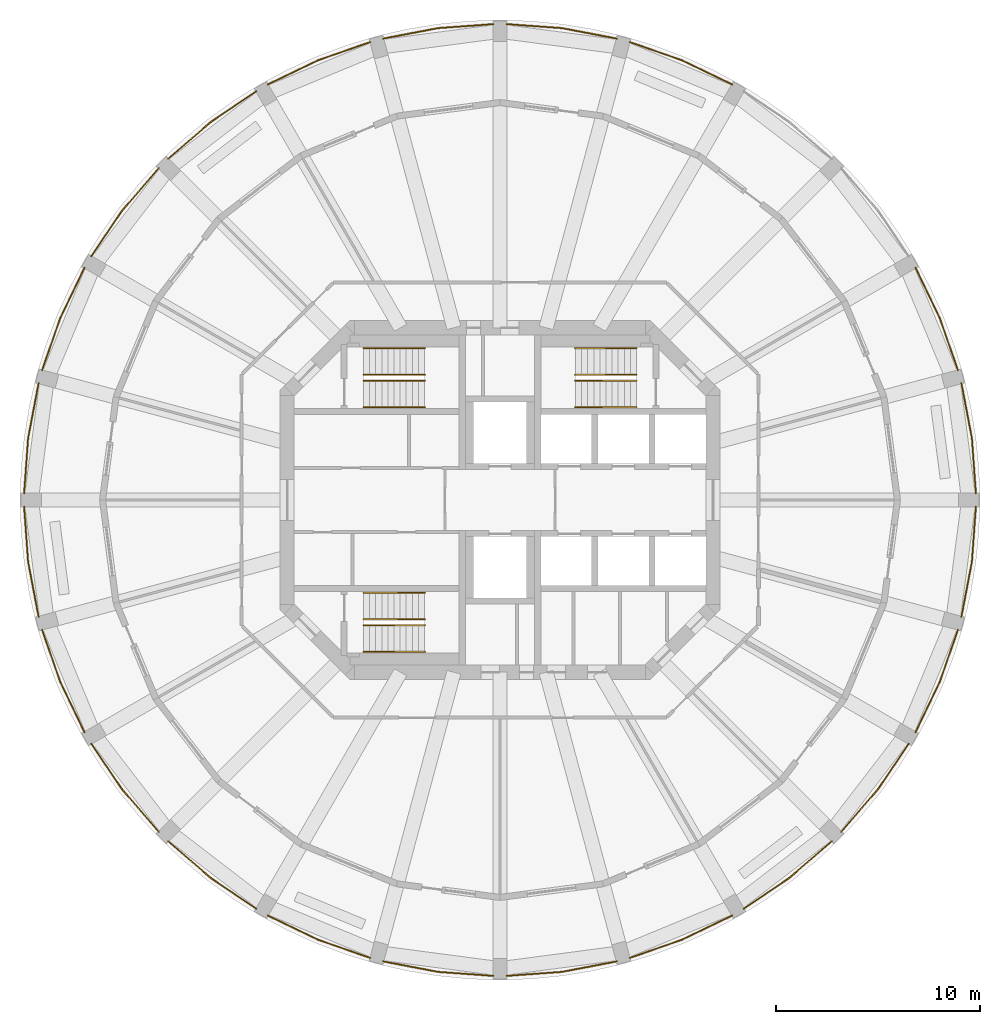
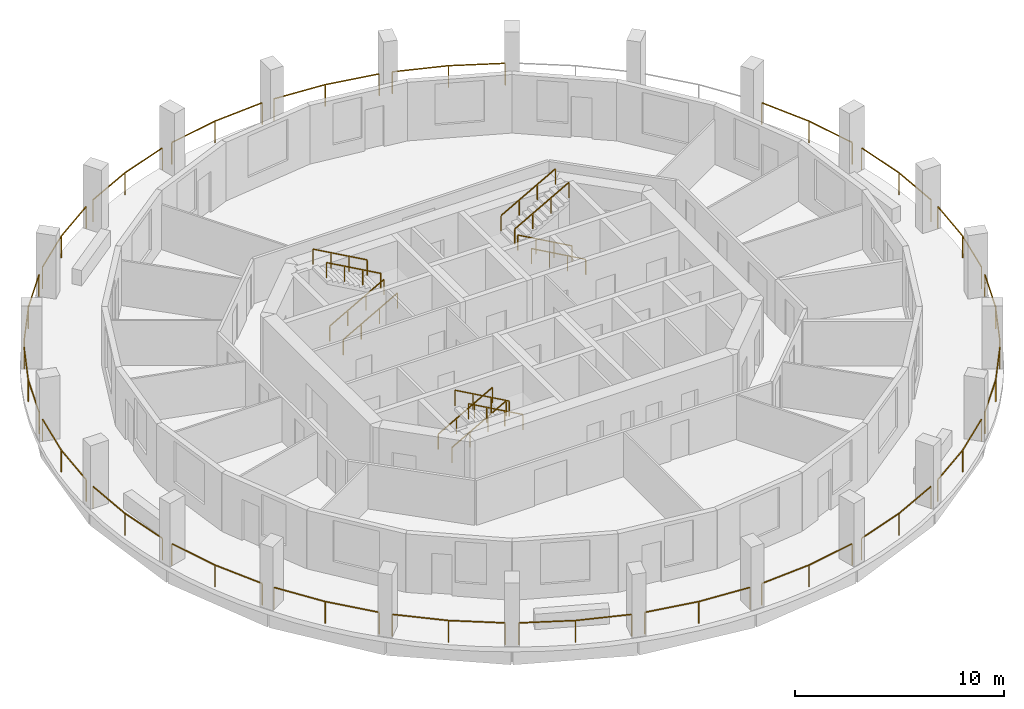
# One storey, part 7 of 8: 34 railings.
"""IFC4 building model written with IfcOpenShell, lengths in metres."""

from ifc_helpers import new_model, si_unit, direction, frame, origin, origin_2d, place, context, subcontext, project, spatial, rectangle, extrude, material, type_object, element, save


model = new_model("IFC4")

# Units and contexts
model_context = context("Model", 3, precision=1e-05, world=origin(), true_north=direction((0.0, 1.0)))
body_context = subcontext(model_context, "Body", "Model", "MODEL_VIEW")
ifc_project = project(units=[si_unit("LENGTHUNIT", "METRE"), si_unit("AREAUNIT", "SQUARE_METRE"), si_unit("VOLUMEUNIT", "CUBIC_METRE"), si_unit("PLANEANGLEUNIT", "RADIAN"), si_unit("MASSUNIT", "GRAM", prefix="KILO")], contexts=[model_context])

# Site, building, storey
site_placement = place(None, origin())
site = spatial("IfcSite", under=ifc_project, at=site_placement, CompositionType="ELEMENT")
building_placement = place(site_placement, origin())
building = spatial("IfcBuilding", under=site, at=building_placement, Name="Torre Triforio", CompositionType="ELEMENT")
storey_placement = place(building_placement, frame((0.0, 0.0, 200.199951171875)))
storey = spatial("IfcBuildingStorey", under=building, at=storey_placement, Name="L45", CompositionType="ELEMENT", Elevation=200.199951171875)

# Railings
ifc_material = material(Name="Stainless steel AISI 316", Category="steel")
railing_type_1 = type_object("IfcRailingType", Name="HANDRAIL 920", PredefinedType="HANDRAIL", material=ifc_material)
for number, where, name in (
    (1, (-6.699951171875, 4.550048828125, 0.168212890625), "Handrail ST1"),
    (2, (-6.699951171875, 5.85009765625, 0.168212890625), "Handrail ST1"),
):
    element("IfcRailing", number, at=place(storey_placement, frame(where)), inside=storey, type_object=railing_type_1, Name=name, PredefinedType="HANDRAIL", context=body_context, shape_type="SweptSolid", body=[
        extrude(rectangle(XDim=0.048095703125, YDim=0.048095703125, at=origin_2d()), frame((0.0, 0.0, 0.89599609375), z_axis=(0.872272294576, 0.0, 0.489020494575), x_axis=(0.0, 1.0, 0.0)), (0.0, 0.0, 1.0), 3.439208984375),
        extrude(rectangle(XDim=0.0419921875, YDim=0.0419921875, at=origin_2d()), origin(), (0.0, 0.0, 1.0), 0.871826171875),
        extrude(rectangle(XDim=0.0419921875, YDim=0.0419921875, at=origin_2d()), frame((1.0, 0.0, 0.560546875)), (0.0, 0.0, 1.0), 0.871826171875),
        extrude(rectangle(XDim=0.0419921875, YDim=0.0419921875, at=origin_2d()), frame((2.0, 0.0, 1.121337890625)), (0.0, 0.0, 1.0), 0.871826171875),
        extrude(rectangle(XDim=0.0419921875, YDim=0.0419921875, at=origin_2d()), frame((3.0, 0.0, 1.681884765625)), (0.0, 0.0, 1.0), 0.871826171875),
    ])
for number, where, name in (
    (3, (-3.699951171875, 7.449951171875, 2.018310546875), "Handrail ST1"),
    (4, (-3.699951171875, 6.14990234375, 2.018310546875), "Handrail ST1"),
):
    element("IfcRailing", number, at=place(storey_placement, frame(where)), inside=storey, type_object=railing_type_1, Name=name, PredefinedType="HANDRAIL", context=body_context, shape_type="SweptSolid", body=[
        extrude(rectangle(XDim=0.048095703125, YDim=0.048095703125, at=origin_2d()), frame((0.0, 0.0, 0.89599609375), z_axis=(-0.872302573547, 0.0, 0.488966481656), x_axis=(0.0, -1.0, 0.0)), (0.0, 0.0, 1.0), 3.439208984375),
        extrude(rectangle(XDim=0.0419921875, YDim=0.0419921875, at=origin_2d()), origin(), (0.0, 0.0, 1.0), 0.871826171875),
        extrude(rectangle(XDim=0.0419921875, YDim=0.0419921875, at=origin_2d()), frame((-1.0, 0.0, 0.560546875)), (0.0, 0.0, 1.0), 0.871826171875),
        extrude(rectangle(XDim=0.0419921875, YDim=0.0419921875, at=origin_2d()), frame((-2.0, 0.0, 1.12109375)), (0.0, 0.0, 1.0), 0.871826171875),
        extrude(rectangle(XDim=0.0419921875, YDim=0.0419921875, at=origin_2d()), frame((-3.0, 0.0, 1.681640625)), (0.0, 0.0, 1.0), 0.871826171875),
    ])
for number, where, name in (
    (5, (6.699951171875, 4.550048828125, 0.168212890625), "Handrail ST2"),
    (6, (6.699951171875, 5.85009765625, 0.168212890625), "Handrail ST2"),
):
    element("IfcRailing", number, at=place(storey_placement, frame(where)), inside=storey, type_object=railing_type_1, Name=name, PredefinedType="HANDRAIL", context=body_context, shape_type="SweptSolid", body=[
        extrude(rectangle(XDim=0.048095703125, YDim=0.048095703125, at=origin_2d()), frame((0.0, 0.0, 0.89599609375), z_axis=(-0.872272294576, 0.0, 0.489020494575), x_axis=(0.0, -1.0, 0.0)), (0.0, 0.0, 1.0), 3.439208984375),
        extrude(rectangle(XDim=0.0419921875, YDim=0.0419921875, at=origin_2d()), origin(), (0.0, 0.0, 1.0), 0.871826171875),
        extrude(rectangle(XDim=0.0419921875, YDim=0.0419921875, at=origin_2d()), frame((-1.0, 0.0, 0.560546875)), (0.0, 0.0, 1.0), 0.871826171875),
        extrude(rectangle(XDim=0.0419921875, YDim=0.0419921875, at=origin_2d()), frame((-2.0, 0.0, 1.121337890625)), (0.0, 0.0, 1.0), 0.871826171875),
        extrude(rectangle(XDim=0.0419921875, YDim=0.0419921875, at=origin_2d()), frame((-3.0, 0.0, 1.681884765625)), (0.0, 0.0, 1.0), 0.871826171875),
    ])
for number, where, name in (
    (7, (3.699951171875, 7.449951171875, 2.018310546875), "Handrail ST2"),
    (8, (3.699951171875, 6.14990234375, 2.018310546875), "Handrail ST2"),
):
    element("IfcRailing", number, at=place(storey_placement, frame(where)), inside=storey, type_object=railing_type_1, Name=name, PredefinedType="HANDRAIL", context=body_context, shape_type="SweptSolid", body=[
        extrude(rectangle(XDim=0.048095703125, YDim=0.048095703125, at=origin_2d()), frame((0.0, 0.0, 0.89599609375), z_axis=(0.872302573547, 0.0, 0.488966481656), x_axis=(0.0, 1.0, 0.0)), (0.0, 0.0, 1.0), 3.439208984375),
        extrude(rectangle(XDim=0.0419921875, YDim=0.0419921875, at=origin_2d()), origin(), (0.0, 0.0, 1.0), 0.871826171875),
        extrude(rectangle(XDim=0.0419921875, YDim=0.0419921875, at=origin_2d()), frame((1.0, 0.0, 0.560546875)), (0.0, 0.0, 1.0), 0.871826171875),
        extrude(rectangle(XDim=0.0419921875, YDim=0.0419921875, at=origin_2d()), frame((2.0, 0.0, 1.12109375)), (0.0, 0.0, 1.0), 0.871826171875),
        extrude(rectangle(XDim=0.0419921875, YDim=0.0419921875, at=origin_2d()), frame((3.0, 0.0, 1.681640625)), (0.0, 0.0, 1.0), 0.871826171875),
    ])
for number, where, name in (
    (9, (-6.699951171875, -4.550048828125, 0.168212890625), "Handrail ST3"),
    (10, (-6.699951171875, -5.85009765625, 0.168212890625), "Handrail ST3"),
):
    element("IfcRailing", number, at=place(storey_placement, frame(where)), inside=storey, type_object=railing_type_1, Name=name, PredefinedType="HANDRAIL", context=body_context, shape_type="SweptSolid", body=[
        extrude(rectangle(XDim=0.048095703125, YDim=0.048095703125, at=origin_2d()), frame((0.0, 0.0, 0.89599609375), z_axis=(0.872272294576, 0.0, 0.489020494575), x_axis=(0.0, 1.0, 0.0)), (0.0, 0.0, 1.0), 3.439208984375),
        extrude(rectangle(XDim=0.0419921875, YDim=0.0419921875, at=origin_2d()), origin(), (0.0, 0.0, 1.0), 0.871826171875),
        extrude(rectangle(XDim=0.0419921875, YDim=0.0419921875, at=origin_2d()), frame((1.0, 0.0, 0.560546875)), (0.0, 0.0, 1.0), 0.871826171875),
        extrude(rectangle(XDim=0.0419921875, YDim=0.0419921875, at=origin_2d()), frame((2.0, 0.0, 1.121337890625)), (0.0, 0.0, 1.0), 0.871826171875),
        extrude(rectangle(XDim=0.0419921875, YDim=0.0419921875, at=origin_2d()), frame((3.0, 0.0, 1.681884765625)), (0.0, 0.0, 1.0), 0.871826171875),
    ])
for number, where, name in (
    (11, (-3.699951171875, -7.449951171875, 2.018310546875), "Handrail ST3"),
    (12, (-3.699951171875, -6.14990234375, 2.018310546875), "Handrail ST3"),
):
    element("IfcRailing", number, at=place(storey_placement, frame(where)), inside=storey, type_object=railing_type_1, Name=name, PredefinedType="HANDRAIL", context=body_context, shape_type="SweptSolid", body=[
        extrude(rectangle(XDim=0.048095703125, YDim=0.048095703125, at=origin_2d()), frame((0.0, 0.0, 0.89599609375), z_axis=(-0.872302573547, 0.0, 0.488966481656), x_axis=(0.0, -1.0, 0.0)), (0.0, 0.0, 1.0), 3.439208984375),
        extrude(rectangle(XDim=0.0419921875, YDim=0.0419921875, at=origin_2d()), origin(), (0.0, 0.0, 1.0), 0.871826171875),
        extrude(rectangle(XDim=0.0419921875, YDim=0.0419921875, at=origin_2d()), frame((-1.0, 0.0, 0.560546875)), (0.0, 0.0, 1.0), 0.871826171875),
        extrude(rectangle(XDim=0.0419921875, YDim=0.0419921875, at=origin_2d()), frame((-2.0, 0.0, 1.12109375)), (0.0, 0.0, 1.0), 0.871826171875),
        extrude(rectangle(XDim=0.0419921875, YDim=0.0419921875, at=origin_2d()), frame((-3.0, 0.0, 1.681640625)), (0.0, 0.0, 1.0), 0.871826171875),
    ])
railing_type_2 = type_object("IfcRailingType", Name="Loggia guard 1300", PredefinedType="GUARDRAIL", material=ifc_material)
railing_1_placement = place(storey_placement, frame((23.35009765625, 0.320068359375, 0.0)))
element("IfcRailing", 13, at=railing_1_placement, inside=storey, type_object=railing_type_2, Name="Loggia guard L45 bay 01", PredefinedType="GUARDRAIL", context=body_context, shape_type="SweptSolid", body=[
    extrude(rectangle(XDim=0.050048828125, YDim=0.050048828125, at=origin_2d()), frame((0.0, 0.0, 1.27490234375), z_axis=(-0.073105569346, 0.997324207934, 0.0), x_axis=(-0.997324207934, -0.073105569346, 0.0)), (0.0, 0.0, 1.0), 2.735107421875),
    extrude(rectangle(XDim=0.050048828125, YDim=0.050048828125, at=origin_2d()), frame((-0.199951171875, 2.727783203125, 1.27490234375), z_axis=(-0.187542781797, 0.982256435457, 0.0), x_axis=(-0.982256435457, -0.187542781797, 0.0)), (0.0, 0.0, 1.0), 2.735107421875),
    extrude(rectangle(XDim=0.0400390625, YDim=0.0400390625, at=origin_2d()), origin(), (0.0, 0.0, 1.0), 1.25),
    extrude(rectangle(XDim=0.0400390625, YDim=0.0400390625, at=origin_2d()), frame((-0.199951171875, 2.727783203125, 0.0)), (0.0, 0.0, 1.0), 1.25),
    extrude(rectangle(XDim=0.0400390625, YDim=0.0400390625, at=origin_2d()), frame((-0.712890625, 5.414306640625, 0.0)), (0.0, 0.0, 1.0), 1.25),
])
railing_2_placement = place(storey_placement, frame((22.471435546875, 6.3525390625, 0.0)))
element("IfcRailing", 14, at=railing_2_placement, inside=storey, type_object=railing_type_2, Name="Loggia guard L45 bay 02", PredefinedType="GUARDRAIL", context=body_context, shape_type="SweptSolid", body=[
    extrude(rectangle(XDim=0.050048828125, YDim=0.050048828125, at=origin_2d()), frame((0.0, 0.0, 1.27490234375), z_axis=(-0.328652177394, 0.944451029061, 0.0), x_axis=(-0.944451029061, -0.328652177394, 0.0)), (0.0, 0.0, 1.0), 2.735107421875),
    extrude(rectangle(XDim=0.050048828125, YDim=0.050048828125, at=origin_2d()), frame((-0.89892578125, 2.583251953125, 1.27490234375), z_axis=(-0.435427931096, 0.900223592682, 0.0), x_axis=(-0.900223592682, -0.435427931096, 0.0)), (0.0, 0.0, 1.0), 2.735107421875),
    extrude(rectangle(XDim=0.0400390625, YDim=0.0400390625, at=origin_2d()), origin(), (0.0, 0.0, 1.0), 1.25),
    extrude(rectangle(XDim=0.0400390625, YDim=0.0400390625, at=origin_2d()), frame((-0.89892578125, 2.583251953125, 0.0)), (0.0, 0.0, 1.0), 1.25),
    extrude(rectangle(XDim=0.0400390625, YDim=0.0400390625, at=origin_2d()), frame((-2.08984375, 5.04541015625, 0.0)), (0.0, 0.0, 1.0), 1.25),
])
railing_3_placement = place(storey_placement, frame((11.39794921875, 20.381591796875, 0.0)))
element("IfcRailing", 15, at=railing_3_placement, inside=storey, type_object=railing_type_2, Name="Loggia guard L45 bay 05", PredefinedType="GUARDRAIL", context=body_context, shape_type="SweptSolid", body=[
    extrude(rectangle(XDim=0.050048828125, YDim=0.050048828125, at=origin_2d()), frame((0.0, 0.0, 1.27490234375), z_axis=(-0.900223592682, 0.435427931096, 0.0), x_axis=(-0.435427931096, -0.900223592682, 0.0)), (0.0, 0.0, 1.0), 2.735107421875),
    extrude(rectangle(XDim=0.050048828125, YDim=0.050048828125, at=origin_2d()), frame((-2.462158203125, 1.19091796875, 1.27490234375), z_axis=(-0.944451029061, 0.328652177394, 0.0), x_axis=(-0.328652177394, -0.944451029061, 0.0)), (0.0, 0.0, 1.0), 2.735107421875),
    extrude(rectangle(XDim=0.0400390625, YDim=0.0400390625, at=origin_2d()), origin(), (0.0, 0.0, 1.0), 1.25),
    extrude(rectangle(XDim=0.0400390625, YDim=0.0400390625, at=origin_2d()), frame((-2.462158203125, 1.19091796875, 0.0)), (0.0, 0.0, 1.0), 1.25),
    extrude(rectangle(XDim=0.0400390625, YDim=0.0400390625, at=origin_2d()), frame((-5.04541015625, 2.08984375, 0.0)), (0.0, 0.0, 1.0), 1.25),
])
railing_4_placement = place(storey_placement, frame((5.734375, 22.63720703125, 0.0)))
element("IfcRailing", 16, at=railing_4_placement, inside=storey, type_object=railing_type_2, Name="Loggia guard L45 bay 06", PredefinedType="GUARDRAIL", context=body_context, shape_type="SweptSolid", body=[
    extrude(rectangle(XDim=0.050048828125, YDim=0.050048828125, at=origin_2d()), frame((0.0, 0.0, 1.27490234375), z_axis=(-0.982256435457, 0.187542781797, 0.0), x_axis=(-0.187542781797, -0.982256435457, 0.0)), (0.0, 0.0, 1.0), 2.735107421875),
    extrude(rectangle(XDim=0.050048828125, YDim=0.050048828125, at=origin_2d()), frame((-2.6865234375, 0.512939453125, 1.27490234375), z_axis=(-0.997324207934, 0.073105569346, 0.0), x_axis=(-0.073105569346, -0.997324207934, 0.0)), (0.0, 0.0, 1.0), 2.735107421875),
    extrude(rectangle(XDim=0.0400390625, YDim=0.0400390625, at=origin_2d()), origin(), (0.0, 0.0, 1.0), 1.25),
    extrude(rectangle(XDim=0.0400390625, YDim=0.0400390625, at=origin_2d()), frame((-2.6865234375, 0.512939453125, 0.0)), (0.0, 0.0, 1.0), 1.25),
    extrude(rectangle(XDim=0.0400390625, YDim=0.0400390625, at=origin_2d()), frame((-5.414306640625, 0.712890625, 0.0)), (0.0, 0.0, 1.0), 1.25),
])
railing_5_placement = place(storey_placement, frame((-0.320068359375, 23.35009765625, 0.0)))
element("IfcRailing", 17, at=railing_5_placement, inside=storey, type_object=railing_type_2, Name="Loggia guard L45 bay 07", PredefinedType="GUARDRAIL", context=body_context, shape_type="SweptSolid", body=[
    extrude(rectangle(XDim=0.050048828125, YDim=0.050048828125, at=origin_2d()), frame((0.0, 0.0, 1.27490234375), z_axis=(-0.997324207934, -0.073105569346, 0.0), x_axis=(0.073105569346, -0.997324207934, 0.0)), (0.0, 0.0, 1.0), 2.735107421875),
    extrude(rectangle(XDim=0.050048828125, YDim=0.050048828125, at=origin_2d()), frame((-2.727783203125, -0.199951171875, 1.27490234375), z_axis=(-0.982256435457, -0.187542781797, 0.0), x_axis=(0.187542781797, -0.982256435457, 0.0)), (0.0, 0.0, 1.0), 2.735107421875),
    extrude(rectangle(XDim=0.0400390625, YDim=0.0400390625, at=origin_2d()), origin(), (0.0, 0.0, 1.0), 1.25),
    extrude(rectangle(XDim=0.0400390625, YDim=0.0400390625, at=origin_2d()), frame((-2.727783203125, -0.199951171875, 0.0)), (0.0, 0.0, 1.0), 1.25),
    extrude(rectangle(XDim=0.0400390625, YDim=0.0400390625, at=origin_2d()), frame((-5.414306640625, -0.712890625, 0.0)), (0.0, 0.0, 1.0), 1.25),
])
railing_6_placement = place(storey_placement, frame((-6.3525390625, 22.471435546875, 0.0)))
element("IfcRailing", 18, at=railing_6_placement, inside=storey, type_object=railing_type_2, Name="Loggia guard L45 bay 08", PredefinedType="GUARDRAIL", context=body_context, shape_type="SweptSolid", body=[
    extrude(rectangle(XDim=0.050048828125, YDim=0.050048828125, at=origin_2d()), frame((0.0, 0.0, 1.27490234375), z_axis=(-0.944451029061, -0.328652177394, 0.0), x_axis=(0.328652177394, -0.944451029061, 0.0)), (0.0, 0.0, 1.0), 2.735107421875),
    extrude(rectangle(XDim=0.050048828125, YDim=0.050048828125, at=origin_2d()), frame((-2.583251953125, -0.89892578125, 1.27490234375), z_axis=(-0.900223592682, -0.435427931096, 0.0), x_axis=(0.435427931096, -0.900223592682, 0.0)), (0.0, 0.0, 1.0), 2.735107421875),
    extrude(rectangle(XDim=0.0400390625, YDim=0.0400390625, at=origin_2d()), origin(), (0.0, 0.0, 1.0), 1.25),
    extrude(rectangle(XDim=0.0400390625, YDim=0.0400390625, at=origin_2d()), frame((-2.583251953125, -0.89892578125, 0.0)), (0.0, 0.0, 1.0), 1.25),
    extrude(rectangle(XDim=0.0400390625, YDim=0.0400390625, at=origin_2d()), frame((-5.04541015625, -2.08984375, 0.0)), (0.0, 0.0, 1.0), 1.25),
])
railing_7_placement = place(storey_placement, frame((-11.9521484375, 20.061767578125, 0.0)))
element("IfcRailing", 19, at=railing_7_placement, inside=storey, type_object=railing_type_2, Name="Loggia guard L45 bay 09", PredefinedType="GUARDRAIL", context=body_context, shape_type="SweptSolid", body=[
    extrude(rectangle(XDim=0.050048828125, YDim=0.050048828125, at=origin_2d()), frame((0.0, 0.0, 1.27490234375), z_axis=(-0.827198686069, -0.561909542334, 0.0), x_axis=(0.561909542334, -0.827198686069, 0.0)), (0.0, 0.0, 1.0), 2.735107421875),
    extrude(rectangle(XDim=0.050048828125, YDim=0.050048828125, at=origin_2d()), frame((-2.262451171875, -1.536865234375, 1.27490234375), z_axis=(-0.756857127214, -0.653580361536, 0.0), x_axis=(0.653580361536, -0.756857127214, 0.0)), (0.0, 0.0, 1.0), 2.735107421875),
    extrude(rectangle(XDim=0.0400390625, YDim=0.0400390625, at=origin_2d()), origin(), (0.0, 0.0, 1.0), 1.25),
    extrude(rectangle(XDim=0.0400390625, YDim=0.0400390625, at=origin_2d()), frame((-2.262451171875, -1.536865234375, 0.0)), (0.0, 0.0, 1.0), 1.25),
    extrude(rectangle(XDim=0.0400390625, YDim=0.0400390625, at=origin_2d()), frame((-4.33251953125, -3.324462890625, 0.0)), (0.0, 0.0, 1.0), 1.25),
])
railing_8_placement = place(storey_placement, frame((-16.7373046875, 16.28466796875, 0.0)))
element("IfcRailing", 20, at=railing_8_placement, inside=storey, type_object=railing_type_2, Name="Loggia guard L45 bay 10", PredefinedType="GUARDRAIL", context=body_context, shape_type="SweptSolid", body=[
    extrude(rectangle(XDim=0.050048828125, YDim=0.050048828125, at=origin_2d()), frame((0.0, 0.0, 1.27490234375), z_axis=(-0.653580361536, -0.756857127214, 0.0), x_axis=(0.756857127214, -0.653580361536, 0.0)), (0.0, 0.0, 1.0), 2.735107421875),
    extrude(rectangle(XDim=0.050048828125, YDim=0.050048828125, at=origin_2d()), frame((-1.78759765625, -2.070068359375, 1.27490234375), z_axis=(-0.561909542334, -0.827198686069, 0.0), x_axis=(0.827198686069, -0.561909542334, 0.0)), (0.0, 0.0, 1.0), 2.735107421875),
    extrude(rectangle(XDim=0.0400390625, YDim=0.0400390625, at=origin_2d()), origin(), (0.0, 0.0, 1.0), 1.25),
    extrude(rectangle(XDim=0.0400390625, YDim=0.0400390625, at=origin_2d()), frame((-1.78759765625, -2.070068359375, 0.0)), (0.0, 0.0, 1.0), 1.25),
    extrude(rectangle(XDim=0.0400390625, YDim=0.0400390625, at=origin_2d()), frame((-3.324462890625, -4.33251953125, 0.0)), (0.0, 0.0, 1.0), 1.25),
])
railing_9_placement = place(storey_placement, frame((-20.381591796875, 11.39794921875, 0.0)))
element("IfcRailing", 21, at=railing_9_placement, inside=storey, type_object=railing_type_2, Name="Loggia guard L45 bay 11", PredefinedType="GUARDRAIL", context=body_context, shape_type="SweptSolid", body=[
    extrude(rectangle(XDim=0.050048828125, YDim=0.050048828125, at=origin_2d()), frame((0.0, 0.0, 1.27490234375), z_axis=(-0.435427931096, -0.900223592682, 0.0), x_axis=(0.900223592682, -0.435427931096, 0.0)), (0.0, 0.0, 1.0), 2.735107421875),
    extrude(rectangle(XDim=0.050048828125, YDim=0.050048828125, at=origin_2d()), frame((-1.19091796875, -2.462158203125, 1.27490234375), z_axis=(-0.328652177394, -0.944451029061, 0.0), x_axis=(0.944451029061, -0.328652177394, 0.0)), (0.0, 0.0, 1.0), 2.735107421875),
    extrude(rectangle(XDim=0.0400390625, YDim=0.0400390625, at=origin_2d()), origin(), (0.0, 0.0, 1.0), 1.25),
    extrude(rectangle(XDim=0.0400390625, YDim=0.0400390625, at=origin_2d()), frame((-1.19091796875, -2.462158203125, 0.0)), (0.0, 0.0, 1.0), 1.25),
    extrude(rectangle(XDim=0.0400390625, YDim=0.0400390625, at=origin_2d()), frame((-2.08984375, -5.04541015625, 0.0)), (0.0, 0.0, 1.0), 1.25),
])
railing_10_placement = place(storey_placement, frame((-22.63720703125, 5.734375, 0.0)))
element("IfcRailing", 22, at=railing_10_placement, inside=storey, type_object=railing_type_2, Name="Loggia guard L45 bay 12", PredefinedType="GUARDRAIL", context=body_context, shape_type="SweptSolid", body=[
    extrude(rectangle(XDim=0.050048828125, YDim=0.050048828125, at=origin_2d()), frame((0.0, 0.0, 1.27490234375), z_axis=(-0.187542781797, -0.982256435457, 0.0), x_axis=(0.982256435457, -0.187542781797, 0.0)), (0.0, 0.0, 1.0), 2.735107421875),
    extrude(rectangle(XDim=0.050048828125, YDim=0.050048828125, at=origin_2d()), frame((-0.512939453125, -2.6865234375, 1.27490234375), z_axis=(-0.073105569346, -0.997324207934, 0.0), x_axis=(0.997324207934, -0.073105569346, 0.0)), (0.0, 0.0, 1.0), 2.735107421875),
    extrude(rectangle(XDim=0.0400390625, YDim=0.0400390625, at=origin_2d()), origin(), (0.0, 0.0, 1.0), 1.25),
    extrude(rectangle(XDim=0.0400390625, YDim=0.0400390625, at=origin_2d()), frame((-0.512939453125, -2.6865234375, 0.0)), (0.0, 0.0, 1.0), 1.25),
    extrude(rectangle(XDim=0.0400390625, YDim=0.0400390625, at=origin_2d()), frame((-0.712890625, -5.414306640625, 0.0)), (0.0, 0.0, 1.0), 1.25),
])
railing_11_placement = place(storey_placement, frame((-23.35009765625, -0.320068359375, 0.0)))
element("IfcRailing", 23, at=railing_11_placement, inside=storey, type_object=railing_type_2, Name="Loggia guard L45 bay 13", PredefinedType="GUARDRAIL", context=body_context, shape_type="SweptSolid", body=[
    extrude(rectangle(XDim=0.050048828125, YDim=0.050048828125, at=origin_2d()), frame((0.0, 0.0, 1.27490234375), z_axis=(0.073105569346, -0.997324207934, 0.0), x_axis=(0.997324207934, 0.073105569346, 0.0)), (0.0, 0.0, 1.0), 2.735107421875),
    extrude(rectangle(XDim=0.050048828125, YDim=0.050048828125, at=origin_2d()), frame((0.199951171875, -2.727783203125, 1.27490234375), z_axis=(0.187542781797, -0.982256435457, 0.0), x_axis=(0.982256435457, 0.187542781797, 0.0)), (0.0, 0.0, 1.0), 2.735107421875),
    extrude(rectangle(XDim=0.0400390625, YDim=0.0400390625, at=origin_2d()), origin(), (0.0, 0.0, 1.0), 1.25),
    extrude(rectangle(XDim=0.0400390625, YDim=0.0400390625, at=origin_2d()), frame((0.199951171875, -2.727783203125, 0.0)), (0.0, 0.0, 1.0), 1.25),
    extrude(rectangle(XDim=0.0400390625, YDim=0.0400390625, at=origin_2d()), frame((0.712890625, -5.414306640625, 0.0)), (0.0, 0.0, 1.0), 1.25),
])
railing_12_placement = place(storey_placement, frame((-22.471435546875, -6.3525390625, 0.0)))
element("IfcRailing", 24, at=railing_12_placement, inside=storey, type_object=railing_type_2, Name="Loggia guard L45 bay 14", PredefinedType="GUARDRAIL", context=body_context, shape_type="SweptSolid", body=[
    extrude(rectangle(XDim=0.050048828125, YDim=0.050048828125, at=origin_2d()), frame((0.0, 0.0, 1.27490234375), z_axis=(0.328652177394, -0.944451029061, 0.0), x_axis=(0.944451029061, 0.328652177394, 0.0)), (0.0, 0.0, 1.0), 2.735107421875),
    extrude(rectangle(XDim=0.050048828125, YDim=0.050048828125, at=origin_2d()), frame((0.89892578125, -2.583251953125, 1.27490234375), z_axis=(0.435427931096, -0.900223592682, 0.0), x_axis=(0.900223592682, 0.435427931096, 0.0)), (0.0, 0.0, 1.0), 2.735107421875),
    extrude(rectangle(XDim=0.0400390625, YDim=0.0400390625, at=origin_2d()), origin(), (0.0, 0.0, 1.0), 1.25),
    extrude(rectangle(XDim=0.0400390625, YDim=0.0400390625, at=origin_2d()), frame((0.89892578125, -2.583251953125, 0.0)), (0.0, 0.0, 1.0), 1.25),
    extrude(rectangle(XDim=0.0400390625, YDim=0.0400390625, at=origin_2d()), frame((2.08984375, -5.04541015625, 0.0)), (0.0, 0.0, 1.0), 1.25),
])
railing_13_placement = place(storey_placement, frame((-20.061767578125, -11.9521484375, 0.0)))
element("IfcRailing", 25, at=railing_13_placement, inside=storey, type_object=railing_type_2, Name="Loggia guard L45 bay 15", PredefinedType="GUARDRAIL", context=body_context, shape_type="SweptSolid", body=[
    extrude(rectangle(XDim=0.050048828125, YDim=0.050048828125, at=origin_2d()), frame((0.0, 0.0, 1.27490234375), z_axis=(0.561909542334, -0.827198686069, 0.0), x_axis=(0.827198686069, 0.561909542334, 0.0)), (0.0, 0.0, 1.0), 2.735107421875),
    extrude(rectangle(XDim=0.050048828125, YDim=0.050048828125, at=origin_2d()), frame((1.536865234375, -2.262451171875, 1.27490234375), z_axis=(0.653580361536, -0.756857127214, 0.0), x_axis=(0.756857127214, 0.653580361536, 0.0)), (0.0, 0.0, 1.0), 2.735107421875),
    extrude(rectangle(XDim=0.0400390625, YDim=0.0400390625, at=origin_2d()), origin(), (0.0, 0.0, 1.0), 1.25),
    extrude(rectangle(XDim=0.0400390625, YDim=0.0400390625, at=origin_2d()), frame((1.536865234375, -2.262451171875, 0.0)), (0.0, 0.0, 1.0), 1.25),
    extrude(rectangle(XDim=0.0400390625, YDim=0.0400390625, at=origin_2d()), frame((3.324462890625, -4.33251953125, 0.0)), (0.0, 0.0, 1.0), 1.25),
])
railing_14_placement = place(storey_placement, frame((-16.28466796875, -16.7373046875, 0.0)))
element("IfcRailing", 26, at=railing_14_placement, inside=storey, type_object=railing_type_2, Name="Loggia guard L45 bay 16", PredefinedType="GUARDRAIL", context=body_context, shape_type="SweptSolid", body=[
    extrude(rectangle(XDim=0.050048828125, YDim=0.050048828125, at=origin_2d()), frame((0.0, 0.0, 1.27490234375), z_axis=(0.756857127214, -0.653580361536, 0.0), x_axis=(0.653580361536, 0.756857127214, 0.0)), (0.0, 0.0, 1.0), 2.735107421875),
    extrude(rectangle(XDim=0.050048828125, YDim=0.050048828125, at=origin_2d()), frame((2.070068359375, -1.78759765625, 1.27490234375), z_axis=(0.827198686069, -0.561909542334, 0.0), x_axis=(0.561909542334, 0.827198686069, 0.0)), (0.0, 0.0, 1.0), 2.735107421875),
    extrude(rectangle(XDim=0.0400390625, YDim=0.0400390625, at=origin_2d()), origin(), (0.0, 0.0, 1.0), 1.25),
    extrude(rectangle(XDim=0.0400390625, YDim=0.0400390625, at=origin_2d()), frame((2.070068359375, -1.78759765625, 0.0)), (0.0, 0.0, 1.0), 1.25),
    extrude(rectangle(XDim=0.0400390625, YDim=0.0400390625, at=origin_2d()), frame((4.33251953125, -3.324462890625, 0.0)), (0.0, 0.0, 1.0), 1.25),
])
railing_15_placement = place(storey_placement, frame((-11.39794921875, -20.381591796875, 0.0)))
element("IfcRailing", 27, at=railing_15_placement, inside=storey, type_object=railing_type_2, Name="Loggia guard L45 bay 17", PredefinedType="GUARDRAIL", context=body_context, shape_type="SweptSolid", body=[
    extrude(rectangle(XDim=0.050048828125, YDim=0.050048828125, at=origin_2d()), frame((0.0, 0.0, 1.27490234375), z_axis=(0.900223592682, -0.435427931096, 0.0), x_axis=(0.435427931096, 0.900223592682, 0.0)), (0.0, 0.0, 1.0), 2.735107421875),
    extrude(rectangle(XDim=0.050048828125, YDim=0.050048828125, at=origin_2d()), frame((2.462158203125, -1.19091796875, 1.27490234375), z_axis=(0.944451029061, -0.328652177394, 0.0), x_axis=(0.328652177394, 0.944451029061, 0.0)), (0.0, 0.0, 1.0), 2.735107421875),
    extrude(rectangle(XDim=0.0400390625, YDim=0.0400390625, at=origin_2d()), origin(), (0.0, 0.0, 1.0), 1.25),
    extrude(rectangle(XDim=0.0400390625, YDim=0.0400390625, at=origin_2d()), frame((2.462158203125, -1.19091796875, 0.0)), (0.0, 0.0, 1.0), 1.25),
    extrude(rectangle(XDim=0.0400390625, YDim=0.0400390625, at=origin_2d()), frame((5.04541015625, -2.08984375, 0.0)), (0.0, 0.0, 1.0), 1.25),
])
railing_16_placement = place(storey_placement, frame((-5.734375, -22.63720703125, 0.0)))
element("IfcRailing", 28, at=railing_16_placement, inside=storey, type_object=railing_type_2, Name="Loggia guard L45 bay 18", PredefinedType="GUARDRAIL", context=body_context, shape_type="SweptSolid", body=[
    extrude(rectangle(XDim=0.050048828125, YDim=0.050048828125, at=origin_2d()), frame((0.0, 0.0, 1.27490234375), z_axis=(0.982256435457, -0.187542781797, 0.0), x_axis=(0.187542781797, 0.982256435457, 0.0)), (0.0, 0.0, 1.0), 2.735107421875),
    extrude(rectangle(XDim=0.050048828125, YDim=0.050048828125, at=origin_2d()), frame((2.6865234375, -0.512939453125, 1.27490234375), z_axis=(0.997324207934, -0.073105569346, 0.0), x_axis=(0.073105569346, 0.997324207934, 0.0)), (0.0, 0.0, 1.0), 2.735107421875),
    extrude(rectangle(XDim=0.0400390625, YDim=0.0400390625, at=origin_2d()), origin(), (0.0, 0.0, 1.0), 1.25),
    extrude(rectangle(XDim=0.0400390625, YDim=0.0400390625, at=origin_2d()), frame((2.6865234375, -0.512939453125, 0.0)), (0.0, 0.0, 1.0), 1.25),
    extrude(rectangle(XDim=0.0400390625, YDim=0.0400390625, at=origin_2d()), frame((5.414306640625, -0.712890625, 0.0)), (0.0, 0.0, 1.0), 1.25),
])
railing_17_placement = place(storey_placement, frame((0.320068359375, -23.35009765625, 0.0)))
element("IfcRailing", 29, at=railing_17_placement, inside=storey, type_object=railing_type_2, Name="Loggia guard L45 bay 19", PredefinedType="GUARDRAIL", context=body_context, shape_type="SweptSolid", body=[
    extrude(rectangle(XDim=0.050048828125, YDim=0.050048828125, at=origin_2d()), frame((0.0, 0.0, 1.27490234375), z_axis=(0.997324207934, 0.073105569346, 0.0), x_axis=(-0.073105569346, 0.997324207934, 0.0)), (0.0, 0.0, 1.0), 2.735107421875),
    extrude(rectangle(XDim=0.050048828125, YDim=0.050048828125, at=origin_2d()), frame((2.727783203125, 0.199951171875, 1.27490234375), z_axis=(0.982256435457, 0.187542781797, 0.0), x_axis=(-0.187542781797, 0.982256435457, 0.0)), (0.0, 0.0, 1.0), 2.735107421875),
    extrude(rectangle(XDim=0.0400390625, YDim=0.0400390625, at=origin_2d()), origin(), (0.0, 0.0, 1.0), 1.25),
    extrude(rectangle(XDim=0.0400390625, YDim=0.0400390625, at=origin_2d()), frame((2.727783203125, 0.199951171875, 0.0)), (0.0, 0.0, 1.0), 1.25),
    extrude(rectangle(XDim=0.0400390625, YDim=0.0400390625, at=origin_2d()), frame((5.414306640625, 0.712890625, 0.0)), (0.0, 0.0, 1.0), 1.25),
])
railing_18_placement = place(storey_placement, frame((6.3525390625, -22.471435546875, 0.0)))
element("IfcRailing", 30, at=railing_18_placement, inside=storey, type_object=railing_type_2, Name="Loggia guard L45 bay 20", PredefinedType="GUARDRAIL", context=body_context, shape_type="SweptSolid", body=[
    extrude(rectangle(XDim=0.050048828125, YDim=0.050048828125, at=origin_2d()), frame((0.0, 0.0, 1.27490234375), z_axis=(0.944451029061, 0.328652177394, 0.0), x_axis=(-0.328652177394, 0.944451029061, 0.0)), (0.0, 0.0, 1.0), 2.735107421875),
    extrude(rectangle(XDim=0.050048828125, YDim=0.050048828125, at=origin_2d()), frame((2.583251953125, 0.89892578125, 1.27490234375), z_axis=(0.900223592682, 0.435427931096, 0.0), x_axis=(-0.435427931096, 0.900223592682, 0.0)), (0.0, 0.0, 1.0), 2.735107421875),
    extrude(rectangle(XDim=0.0400390625, YDim=0.0400390625, at=origin_2d()), origin(), (0.0, 0.0, 1.0), 1.25),
    extrude(rectangle(XDim=0.0400390625, YDim=0.0400390625, at=origin_2d()), frame((2.583251953125, 0.89892578125, 0.0)), (0.0, 0.0, 1.0), 1.25),
    extrude(rectangle(XDim=0.0400390625, YDim=0.0400390625, at=origin_2d()), frame((5.04541015625, 2.08984375, 0.0)), (0.0, 0.0, 1.0), 1.25),
])
railing_19_placement = place(storey_placement, frame((11.9521484375, -20.061767578125, 0.0)))
element("IfcRailing", 31, at=railing_19_placement, inside=storey, type_object=railing_type_2, Name="Loggia guard L45 bay 21", PredefinedType="GUARDRAIL", context=body_context, shape_type="SweptSolid", body=[
    extrude(rectangle(XDim=0.050048828125, YDim=0.050048828125, at=origin_2d()), frame((0.0, 0.0, 1.27490234375), z_axis=(0.827198686069, 0.561909542334, 0.0), x_axis=(-0.561909542334, 0.827198686069, 0.0)), (0.0, 0.0, 1.0), 2.735107421875),
    extrude(rectangle(XDim=0.050048828125, YDim=0.050048828125, at=origin_2d()), frame((2.262451171875, 1.536865234375, 1.27490234375), z_axis=(0.756857127214, 0.653580361536, 0.0), x_axis=(-0.653580361536, 0.756857127214, 0.0)), (0.0, 0.0, 1.0), 2.735107421875),
    extrude(rectangle(XDim=0.0400390625, YDim=0.0400390625, at=origin_2d()), origin(), (0.0, 0.0, 1.0), 1.25),
    extrude(rectangle(XDim=0.0400390625, YDim=0.0400390625, at=origin_2d()), frame((2.262451171875, 1.536865234375, 0.0)), (0.0, 0.0, 1.0), 1.25),
    extrude(rectangle(XDim=0.0400390625, YDim=0.0400390625, at=origin_2d()), frame((4.33251953125, 3.324462890625, 0.0)), (0.0, 0.0, 1.0), 1.25),
])
railing_20_placement = place(storey_placement, frame((16.7373046875, -16.28466796875, 0.0)))
element("IfcRailing", 32, at=railing_20_placement, inside=storey, type_object=railing_type_2, Name="Loggia guard L45 bay 22", PredefinedType="GUARDRAIL", context=body_context, shape_type="SweptSolid", body=[
    extrude(rectangle(XDim=0.050048828125, YDim=0.050048828125, at=origin_2d()), frame((0.0, 0.0, 1.27490234375), z_axis=(0.653580361536, 0.756857127214, 0.0), x_axis=(-0.756857127214, 0.653580361536, 0.0)), (0.0, 0.0, 1.0), 2.735107421875),
    extrude(rectangle(XDim=0.050048828125, YDim=0.050048828125, at=origin_2d()), frame((1.78759765625, 2.070068359375, 1.27490234375), z_axis=(0.561909542334, 0.827198686069, 0.0), x_axis=(-0.827198686069, 0.561909542334, 0.0)), (0.0, 0.0, 1.0), 2.735107421875),
    extrude(rectangle(XDim=0.0400390625, YDim=0.0400390625, at=origin_2d()), origin(), (0.0, 0.0, 1.0), 1.25),
    extrude(rectangle(XDim=0.0400390625, YDim=0.0400390625, at=origin_2d()), frame((1.78759765625, 2.070068359375, 0.0)), (0.0, 0.0, 1.0), 1.25),
    extrude(rectangle(XDim=0.0400390625, YDim=0.0400390625, at=origin_2d()), frame((3.324462890625, 4.33251953125, 0.0)), (0.0, 0.0, 1.0), 1.25),
])
railing_21_placement = place(storey_placement, frame((20.381591796875, -11.39794921875, 0.0)))
element("IfcRailing", 33, at=railing_21_placement, inside=storey, type_object=railing_type_2, Name="Loggia guard L45 bay 23", PredefinedType="GUARDRAIL", context=body_context, shape_type="SweptSolid", body=[
    extrude(rectangle(XDim=0.050048828125, YDim=0.050048828125, at=origin_2d()), frame((0.0, 0.0, 1.27490234375), z_axis=(0.435427931096, 0.900223592682, 0.0), x_axis=(-0.900223592682, 0.435427931096, 0.0)), (0.0, 0.0, 1.0), 2.735107421875),
    extrude(rectangle(XDim=0.050048828125, YDim=0.050048828125, at=origin_2d()), frame((1.19091796875, 2.462158203125, 1.27490234375), z_axis=(0.328652177394, 0.944451029061, 0.0), x_axis=(-0.944451029061, 0.328652177394, 0.0)), (0.0, 0.0, 1.0), 2.735107421875),
    extrude(rectangle(XDim=0.0400390625, YDim=0.0400390625, at=origin_2d()), origin(), (0.0, 0.0, 1.0), 1.25),
    extrude(rectangle(XDim=0.0400390625, YDim=0.0400390625, at=origin_2d()), frame((1.19091796875, 2.462158203125, 0.0)), (0.0, 0.0, 1.0), 1.25),
    extrude(rectangle(XDim=0.0400390625, YDim=0.0400390625, at=origin_2d()), frame((2.08984375, 5.04541015625, 0.0)), (0.0, 0.0, 1.0), 1.25),
])
railing_22_placement = place(storey_placement, frame((22.63720703125, -5.734375, 0.0)))
element("IfcRailing", 34, at=railing_22_placement, inside=storey, type_object=railing_type_2, Name="Loggia guard L45 bay 24", PredefinedType="GUARDRAIL", context=body_context, shape_type="SweptSolid", body=[
    extrude(rectangle(XDim=0.050048828125, YDim=0.050048828125, at=origin_2d()), frame((0.0, 0.0, 1.27490234375), z_axis=(0.187542781797, 0.982256435457, 0.0), x_axis=(-0.982256435457, 0.187542781797, 0.0)), (0.0, 0.0, 1.0), 2.735107421875),
    extrude(rectangle(XDim=0.050048828125, YDim=0.050048828125, at=origin_2d()), frame((0.512939453125, 2.6865234375, 1.27490234375), z_axis=(0.073105569346, 0.997324207934, 0.0), x_axis=(-0.997324207934, 0.073105569346, 0.0)), (0.0, 0.0, 1.0), 2.735107421875),
    extrude(rectangle(XDim=0.0400390625, YDim=0.0400390625, at=origin_2d()), origin(), (0.0, 0.0, 1.0), 1.25),
    extrude(rectangle(XDim=0.0400390625, YDim=0.0400390625, at=origin_2d()), frame((0.512939453125, 2.6865234375, 0.0)), (0.0, 0.0, 1.0), 1.25),
    extrude(rectangle(XDim=0.0400390625, YDim=0.0400390625, at=origin_2d()), frame((0.712890625, 5.414306640625, 0.0)), (0.0, 0.0, 1.0), 1.25),
])

save(model, "model.ifc")
